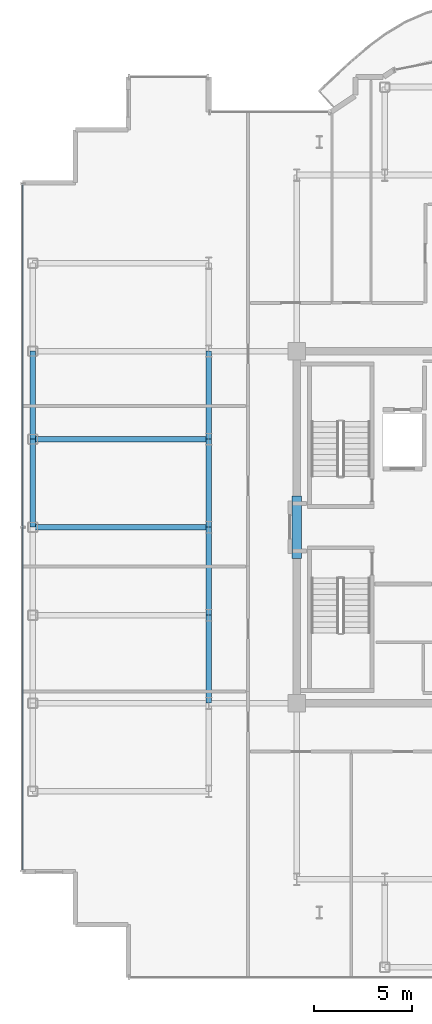
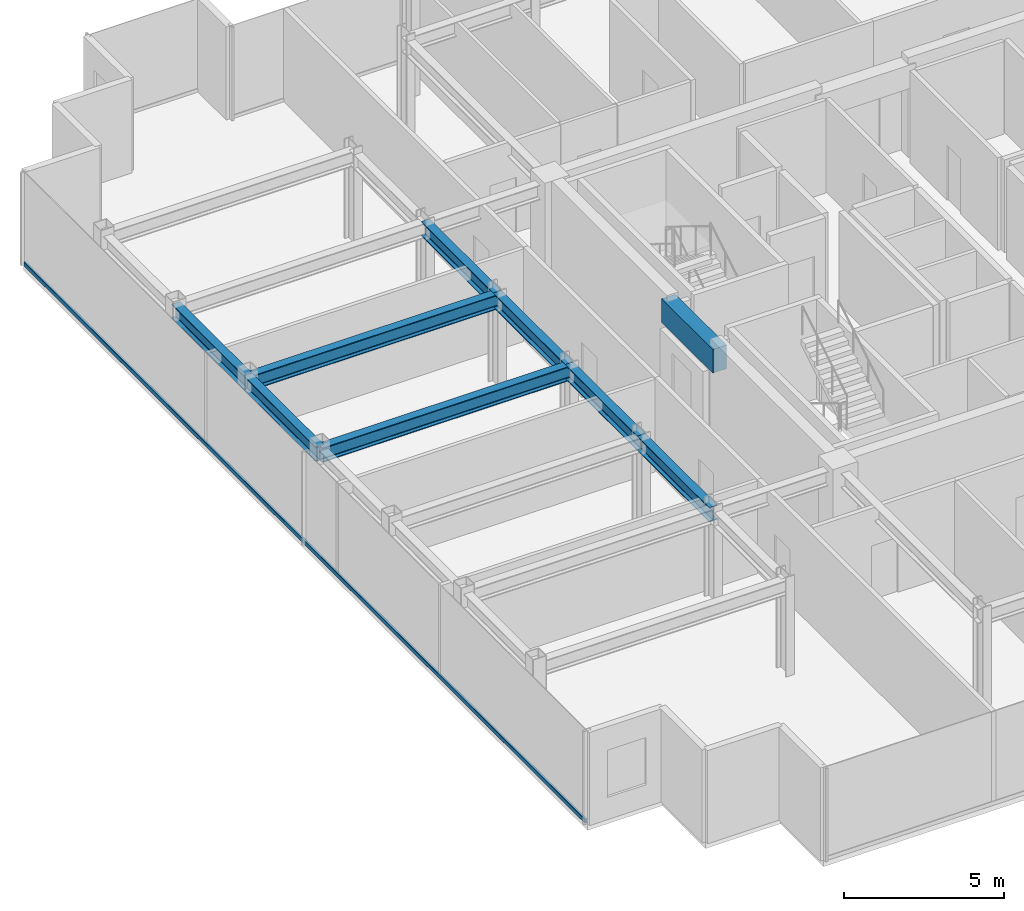
# One storey, part 5 of 18: 9 beams, 1 member, 1 element without a shape of its own.
"""IFC4 building model written with IfcOpenShell, lengths in metres."""

from ifc_helpers import new_model, si_unit, direction, frame, origin, origin_2d, place, context, subcontext, project, spatial, rectangle, hollow_rectangle, i_section, extrude, source, transform, mapped, material, layer, layer_set, material_profile, profile_set, type_object, element, aggregate, save


model = new_model("IFC4")

# Units and contexts
model_context = context("Model", 3, precision=1e-05, world=origin(), true_north=direction((0.0, 1.0)))
body_context = subcontext(model_context, "Body", "Model", "MODEL_VIEW")
ifc_project = project(units=[si_unit("LENGTHUNIT", "METRE"), si_unit("AREAUNIT", "SQUARE_METRE"), si_unit("VOLUMEUNIT", "CUBIC_METRE"), si_unit("PLANEANGLEUNIT", "RADIAN"), si_unit("MASSUNIT", "GRAM", prefix="KILO")], contexts=[model_context])

# Site, building, storey
site_placement = place(None, origin())
site = spatial("IfcSite", under=ifc_project, at=site_placement, CompositionType="ELEMENT")
building_placement = place(site_placement, origin())
building = spatial("IfcBuilding", under=site, at=building_placement, Name="Nefas-Gora Pilgrimage Tower", CompositionType="ELEMENT")
storey_placement = place(building_placement, frame((0.0, 0.0, 326.199951171875)))
storey = spatial("IfcBuildingStorey", under=building, at=storey_placement, Name="L82", CompositionType="ELEMENT", Elevation=326.199951171875)

# Beams
ifc_material_1 = material(Name="Concrete C50/60", Category="concrete")
ifc_material_profile_1 = material_profile(ifc_material_1, rectangle(XDim=0.5, YDim=0.89990234375, at=origin_2d()), Name="RC 500x900")
ifc_profile_set_1 = profile_set([ifc_material_profile_1], Name="Concrete C50/60")
beam_type_1 = type_object("IfcBeamType", Name="BM-LIN-RC900", PredefinedType="LINTEL", material=ifc_profile_set_1)
shared_shape_1 = source(origin(), body_context, "Body", "SweptSolid", [
    extrude(rectangle(XDim=0.5, YDim=0.89990234375, at=origin_2d()), origin(), (0.0, 0.0, 1.0), 3.2001953125),
])
beam_placement = place(storey_placement, frame((-11.25, -1.60009765625, 3.10009765625), z_axis=(0.0, 1.0, 0.0), x_axis=(-1.0, 0.0, 0.0)))
element("IfcBeam", 1, at=beam_placement, inside=storey, type_object=beam_type_1, Name="L82 Core Coupling Lintel Beam W", PredefinedType="LINTEL", context=body_context, shape_type="MappedRepresentation", body=[
    mapped(shared_shape_1, transform((0.0, 0.0, 0.0), x_axis=(1.0, 0.0, 0.0), y_axis=(0.0, 1.0, 0.0), z_axis=(0.0, 0.0, 1.0), scale=1.0)),
])
ifc_material_2 = material(Name="Steel S355", Category="steel")
ifc_material_profile_2 = material_profile(ifc_material_2, i_section(OverallWidth=0.300048828125, OverallDepth=0.550048828125, WebThickness=0.014892578125, FlangeThickness=0.029052734375, FilletRadius=0.027099609375, at=origin_2d()), Name="HEB 550")
ifc_profile_set_2 = profile_set([ifc_material_profile_2], Name="Steel S355")
beam_type_2 = type_object("IfcBeamType", Name="BM-SPN-HEB400", PredefinedType="SPANDREL", material=ifc_profile_set_2)
shared_shape_2 = source(origin(), body_context, "Body", "SweptSolid", [
    extrude(i_section(OverallWidth=0.300048828125, OverallDepth=0.550048828125, WebThickness=0.014892578125, FlangeThickness=0.029052734375, FilletRadius=0.027099609375, at=origin_2d()), origin(), (0.0, 0.0, 1.0), 4.5),
])
for number, where, z_axis, x_axis, name in (
    (2, (-24.75, 0.0, 3.275146484375), (0.0, 1.0, 0.0), (-1.0, 0.0, 0.0), "L82 SP-04 beam"),
    (3, (-24.75, 4.5, 3.275146484375), (0.0, 1.0, 0.0), (-1.0, 0.0, 0.0), "L82 SP-04 beam"),
):
    element("IfcBeam", number, at=place(storey_placement, frame(where, z_axis=z_axis, x_axis=x_axis)), inside=storey, type_object=beam_type_2, Name=name, PredefinedType="SPANDREL", context=body_context, shape_type="MappedRepresentation", body=[
        mapped(shared_shape_2, transform((0.0, 0.0, 0.0), x_axis=(1.0, 0.0, 0.0), y_axis=(0.0, 1.0, 0.0), z_axis=(0.0, 0.0, 1.0), scale=1.0)),
    ])
ifc_material_profile_3 = material_profile(ifc_material_2, i_section(OverallWidth=0.300048828125, OverallDepth=0.550048828125, WebThickness=0.014892578125, FlangeThickness=0.029052734375, FilletRadius=0.027099609375, at=origin_2d()), Name="HEB 550")
ifc_profile_set_3 = profile_set([ifc_material_profile_3], Name="Steel S355")
beam_type_3 = type_object("IfcBeamType", Name="BM-GIR-HEB550", PredefinedType="BEAM", material=ifc_profile_set_3)
shared_shape_3 = source(origin(), body_context, "Body", "SweptSolid", [
    extrude(i_section(OverallWidth=0.300048828125, OverallDepth=0.550048828125, WebThickness=0.014892578125, FlangeThickness=0.029052734375, FilletRadius=0.027099609375, at=origin_2d()), origin(), (0.0, 0.0, 1.0), 9.0),
])
for number, where, z_axis, x_axis, name in (
    (4, (-24.75, 0.0, 3.275146484375), (1.0, 0.0, 0.0), (0.0, 1.0, 0.0), "L82 G-05 beam"),
    (5, (-24.75, 4.5, 3.275146484375), (1.0, 0.0, 0.0), (0.0, 1.0, 0.0), "L82 G-05 beam"),
):
    element("IfcBeam", number, at=place(storey_placement, frame(where, z_axis=z_axis, x_axis=x_axis)), inside=storey, type_object=beam_type_3, Name=name, PredefinedType="BEAM", context=body_context, shape_type="MappedRepresentation", body=[
        mapped(shared_shape_3, transform((0.0, 0.0, 0.0), x_axis=(1.0, 0.0, 0.0), y_axis=(0.0, 1.0, 0.0), z_axis=(0.0, 0.0, 1.0), scale=1.0)),
    ])
shared_shape_4 = source(origin(), body_context, "Body", "SweptSolid", [
    extrude(i_section(OverallWidth=0.300048828125, OverallDepth=0.550048828125, WebThickness=0.014892578125, FlangeThickness=0.029052734375, FilletRadius=0.027099609375, at=origin_2d()), origin(), (0.0, 0.0, 1.0), 4.5),
])
for number, where, z_axis, x_axis, name in (
    (6, (-15.75, -9.0, 3.275146484375), (0.0, 1.0, 0.0), (-1.0, 0.0, 0.0), "L82 G-05 beam"),
    (7, (-15.75, -4.5, 3.275146484375), (0.0, 1.0, 0.0), (-1.0, 0.0, 0.0), "L82 G-05 beam"),
    (8, (-15.75, 0.0, 3.275146484375), (0.0, 1.0, 0.0), (-1.0, 0.0, 0.0), "L82 G-05 beam"),
    (9, (-15.75, 4.5, 3.275146484375), (0.0, 1.0, 0.0), (-1.0, 0.0, 0.0), "L82 G-05 beam"),
):
    element("IfcBeam", number, at=place(storey_placement, frame(where, z_axis=z_axis, x_axis=x_axis)), inside=storey, type_object=beam_type_3, Name=name, PredefinedType="BEAM", context=body_context, shape_type="MappedRepresentation", body=[
        mapped(shared_shape_4, transform((0.0, 0.0, 0.0), x_axis=(1.0, 0.0, 0.0), y_axis=(0.0, 1.0, 0.0), z_axis=(0.0, 0.0, 1.0), scale=1.0)),
    ])

# Curtain wall, member
ifc_material_3 = material(Name="Dark ceramic-fritted solar-control aluminium-glass curtain wall", Category="aluminium")
ifc_layer = layer(ifc_material_3, 0.219970703125)
ifc_layer_set = layer_set([ifc_layer], Name="Dark ceramic-fritted solar-control aluminium-glass curtain wall")
curtain_wall_type = type_object("IfcCurtainWallType", Name="CW-SYS-4", PredefinedType="NOTDEFINED", material=ifc_layer_set)
curtain_wall_placement = place(storey_placement, origin())
curtain_wall = element("IfcCurtainWall", 10, at=curtain_wall_placement, inside=storey, type_object=curtain_wall_type, Name="L82 Unitised Curtain Wall CW4", PredefinedType="NOTDEFINED")
ifc_material_4 = material(Name="Anodised architectural aluminium", Category="aluminium")
ifc_material_profile_4 = material_profile(ifc_material_4, hollow_rectangle(XDim=0.080078125, YDim=0.159912109375, WallThickness=0.00439453125, InnerFilletRadius=0.00439453125, OuterFilletRadius=0.009033203125, at=origin_2d()), Name="ALU TRANSOM 80x160")
ifc_profile_set_4 = profile_set([ifc_material_profile_4], Name="Anodised architectural aluminium")
member_type = type_object("IfcMemberType", Name="CWM-TRN-4", PredefinedType="USERDEFINED", material=ifc_profile_set_4)
shared_shape_5 = source(origin(), body_context, "Body", "SweptSolid", [
    extrude(hollow_rectangle(XDim=0.080078125, YDim=0.159912109375, WallThickness=0.00439453125, InnerFilletRadius=0.00439453125, OuterFilletRadius=0.009033203125, at=origin_2d()), origin(), (0.0, 0.0, 1.0), 35.06005859375),
])
member_placement = place(storey_placement, frame((-25.27001953125, 17.530029296875, 0.050048828125), z_axis=(0.0, -1.0, 0.0), x_axis=(1.0, 0.0, 0.0)))
member = element("IfcMember", 11, at=member_placement, type_object=member_type, Name="CW4 Spandrel Transom", ObjectType="TRANSOM", PredefinedType="USERDEFINED", context=body_context, shape_type="MappedRepresentation", body=[
    mapped(shared_shape_5, transform((0.0, 0.0, 0.0), x_axis=(1.0, 0.0, 0.0), y_axis=(0.0, 1.0, 0.0), z_axis=(0.0, 0.0, 1.0), scale=1.0)),
])
aggregate(curtain_wall, [member])

save(model, "model.ifc")
